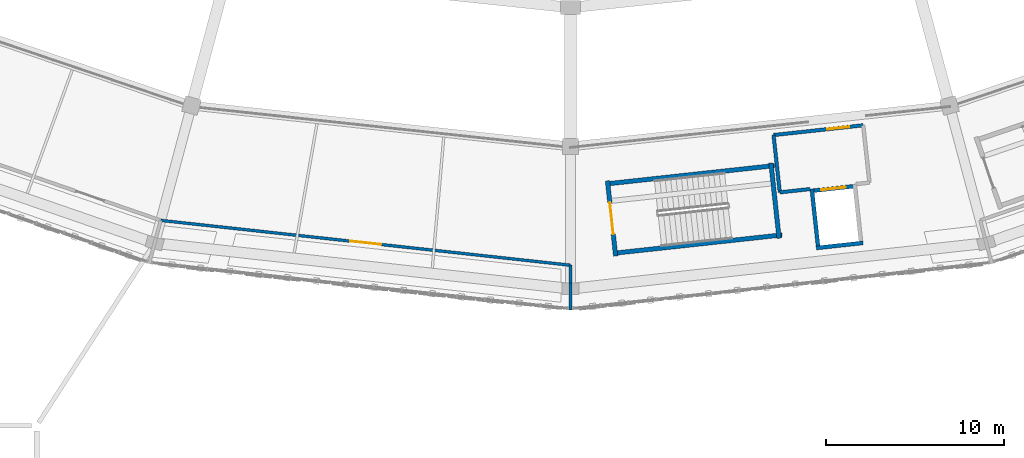
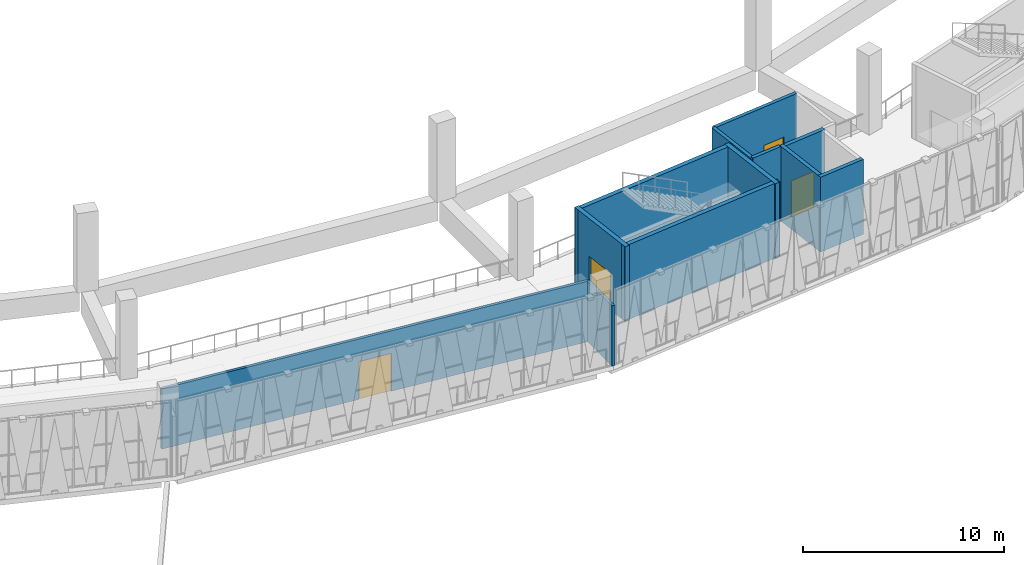
# One storey, part 67 of 108: 13 walls, 4 doors, 4 openings.
"""IFC4 building model written with IfcOpenShell, lengths in metres."""

from ifc_helpers import new_model, si_unit, direction, frame, frame_2d, origin, place, context, subcontext, project, spatial, rectangle, extrude, material, layer, layer_set, type_object, element, fill, save


model = new_model("IFC4")

# Units and contexts
model_context = context("Model", 3, precision=1e-05, world=origin(), true_north=direction((0.0, 1.0)))
body_context = subcontext(model_context, "Body", "Model", "MODEL_VIEW")
ifc_project = project(units=[si_unit("LENGTHUNIT", "METRE"), si_unit("AREAUNIT", "SQUARE_METRE"), si_unit("VOLUMEUNIT", "CUBIC_METRE"), si_unit("PLANEANGLEUNIT", "RADIAN"), si_unit("MASSUNIT", "GRAM", prefix="KILO")], contexts=[model_context])

# Site, building, storey
site_placement = place(None, origin())
site = spatial("IfcSite", under=ifc_project, at=site_placement, CompositionType="ELEMENT")
building_placement = place(site_placement, origin())
building = spatial("IfcBuilding", under=site, at=building_placement, Name="Zevraka Park Crest Stadium", CompositionType="ELEMENT")
storey_placement = place(building_placement, frame((0.0, 0.0, 19.800048828125)))
storey = spatial("IfcBuildingStorey", under=building, at=storey_placement, Name="L04", CompositionType="ELEMENT", Elevation=19.800048828125)

# Walls
ifc_material_1 = material(Name="Autoclaved aerated masonry blockwork", Category="masonry")
ifc_layer_1 = layer(ifc_material_1, 0.199951171875)
ifc_layer_set_1 = layer_set([ifc_layer_1], Name="Autoclaved aerated masonry blockwork")
wall_type_1 = type_object("IfcWallType", Name="IW01", PredefinedType="PARTITIONING", material=ifc_layer_set_1)
wall_1_placement = place(storey_placement, frame((125.47509765625, 22.302001953125, 0.0), z_axis=(0.0, 0.0, 1.0), x_axis=(-0.994135511072, -0.108141507414, 0.0)))
element("IfcWall", 1, at=wall_1_placement, inside=storey, type_object=wall_type_1, Name="Firefighting Lift Lobby Wall IW01 FL04 L04 BACKR", PredefinedType="PARTITIONING", context=body_context, shape_type="SweptSolid", body=[
    extrude(rectangle(XDim=1.72021484375, YDim=0.199951171875, at=frame_2d((0.860107421875, 0.0))), origin(), (0.0, 0.0, 1.0), 4.52001953125),
])
wall_2_placement = place(storey_placement, frame((123.764892578125, 22.115966796875, 0.0), z_axis=(0.0, 0.0, 1.0), x_axis=(-0.108280975823, 0.994120329877, 0.0)))
element("IfcWall", 2, at=wall_2_placement, inside=storey, type_object=wall_type_1, Name="Firefighting Lift Lobby Wall IW01 FL04 L04 RIGHT", PredefinedType="PARTITIONING", context=body_context, shape_type="SweptSolid", body=[
    extrude(rectangle(XDim=3.239990234375, YDim=0.199951171875, at=frame_2d((1.6201171875, 0.0))), origin(), (0.0, 0.0, 1.0), 4.52001953125),
])

# Wall, opening, door
wall_3_placement = place(storey_placement, frame((128.4541015625, 25.885986328125, 0.0), z_axis=(0.0, 0.0, 1.0), x_axis=(-0.994118117986, -0.108301281116, 0.0)))
wall_3 = element("IfcWall", 3, at=wall_3_placement, inside=storey, type_object=wall_type_1, Name="Firefighting Lift Lobby Wall IW01 FL04 L04 FRONT", PredefinedType="PARTITIONING", context=body_context, shape_type="SweptSolid", body=[
    extrude(rectangle(XDim=5.06982421875, YDim=0.199951171875, at=frame_2d((2.534912109375, 0.0))), origin(), (0.0, 0.0, 1.0), 4.52001953125),
])
opening_1_placement = place(wall_3_placement, frame((0.794921875, 0.0, 0.0)))
opening_1 = element("IfcOpeningElement", 4, at=opening_1_placement, cuts=wall_3, Name="Opening D-L04-323", PredefinedType="OPENING", context=body_context, shape_type="SweptSolid", body=[
    extrude(rectangle(XDim=1.25, YDim=2.199951171875, at=frame_2d((0.625, 1.10009765625))), frame((0.0, 0.10986328125, 0.0), z_axis=(0.0, -1.0, 0.0), x_axis=(1.0, 0.0, 0.0)), (0.0, 0.0, 1.0), 0.219970703125),
])
ifc_material_2 = material(Name="Solid-core hardwood timber leaf in steel frame", Category="steel")
door_type_1 = type_object("IfcDoorType", Name="DR07", OperationType="NOTDEFINED", PredefinedType="DOOR", material=ifc_material_2)
door_1_placement = place(opening_1_placement, origin())
door_1 = element("IfcDoor", 5, at=door_1_placement, inside=storey, type_object=door_type_1, Name="Firefighting Lift Lobby FL04 Door D-L04-323", OperationType="SINGLE_SWING_LEFT", OverallHeight=2.199951171875, OverallWidth=1.25, PredefinedType="DOOR", context=body_context, shape_type="SweptSolid", body=[
    extrude(rectangle(XDim=1.25, YDim=2.199951171875, at=frame_2d((0.625, 1.10009765625))), frame((0.0, 0.02490234375, 0.0), z_axis=(0.0, -1.0, 0.0), x_axis=(1.0, 0.0, 0.0)), (0.0, 0.0, 1.0), 0.050048828125),
])
fill(opening_1, door_1)

ifc_material_3 = material(Name="Fire-rated twin-stud acoustic drywall", Category="other")
ifc_layer_2 = layer(ifc_material_3, 0.159912109375)
ifc_layer_set_2 = layer_set([ifc_layer_2], Name="Fire-rated twin-stud acoustic drywall")
wall_type_2 = type_object("IfcWallType", Name="IW02", PredefinedType="PARTITIONING", material=ifc_layer_set_2)
wall_4_placement = place(storey_placement, frame((88.969970703125, 20.541015625, 0.0), z_axis=(0.0, 0.0, 1.0), x_axis=(0.994061953131, -0.108815593262, 0.0)))
wall_4 = element("IfcWall", 6, at=wall_4_placement, inside=storey, type_object=wall_type_2, Name="Interior Partition IW02 Hospitality Suite L04", PredefinedType="PARTITIONING", context=body_context, shape_type="SweptSolid", body=[
    extrude(rectangle(XDim=23.16748046875, YDim=0.159912109375, at=frame_2d((11.583740234375, 0.0))), origin(), (0.0, 0.0, 1.0), 3.6650390625),
])
opening_2_placement = place(wall_4_placement, frame((10.708984375, 0.0, 0.0)))
opening_2 = element("IfcOpeningElement", 7, at=opening_2_placement, cuts=wall_4, Name="Opening D-L04-486", PredefinedType="OPENING", context=body_context, shape_type="SweptSolid", body=[
    extrude(rectangle(XDim=1.75, YDim=2.300048828125, at=frame_2d((0.875, 1.14990234375))), frame((0.0, 0.08984375, 0.0), z_axis=(0.0, -1.0, 0.0), x_axis=(1.0, 0.0, 0.0)), (0.0, 0.0, 1.0), 0.179931640625),
])
ifc_material_4 = material(Name="Solid-core hardwood timber leaf in steel frame", Category="steel")
door_type_2 = type_object("IfcDoorType", Name="DR27", OperationType="NOTDEFINED", PredefinedType="DOOR", material=ifc_material_4)
door_2_placement = place(opening_2_placement, origin())
door_2 = element("IfcDoor", 8, at=door_2_placement, inside=storey, type_object=door_type_2, Name="Hospitality Suite Door D-L04-486", OperationType="DOUBLE_DOOR_SINGLE_SWING", OverallHeight=2.300048828125, OverallWidth=1.75, PredefinedType="DOOR", context=body_context, shape_type="SweptSolid", body=[
    extrude(rectangle(XDim=1.75, YDim=2.300048828125, at=frame_2d((0.875, 1.14990234375))), frame((0.0, 0.02490234375, 0.0), z_axis=(0.0, -1.0, 0.0), x_axis=(1.0, 0.0, 0.0)), (0.0, 0.0, 1.0), 0.050048828125),
])
fill(opening_2, door_2)

# Walls
wall_5_placement = place(storey_placement, frame((112.0, 18.02001953125, 0.0), z_axis=(0.0, 0.0, 1.0), x_axis=(0.0, -1.0, 0.0)))
element("IfcWall", 9, at=wall_5_placement, inside=storey, type_object=wall_type_2, Name="Interior Partition IW02 Hospitality Suite L04", PredefinedType="PARTITIONING", context=body_context, shape_type="SweptSolid", body=[
    extrude(rectangle(XDim=1.010009765625, YDim=0.159912109375, at=frame_2d((0.5048828125, 0.0))), origin(), (0.0, 0.0, 1.0), 3.6650390625),
])
wall_6_placement = place(storey_placement, frame((112.0, 17.02490234375, 0.0), z_axis=(0.0, 0.0, 1.0), x_axis=(0.0, -1.0, 0.0)))
element("IfcWall", 10, at=wall_6_placement, inside=storey, type_object=wall_type_2, Name="Interior Partition IW02 Hospitality Suite L04", PredefinedType="PARTITIONING", context=body_context, shape_type="SweptSolid", body=[
    extrude(rectangle(XDim=1.52490234375, YDim=0.159912109375, at=frame_2d((0.762451171875, 0.0))), origin(), (0.0, 0.0, 1.0), 3.6650390625),
])
ifc_material_5 = material(Name="Concrete C40/50", Category="concrete")
ifc_layer_3 = layer(ifc_material_5, 0.25)
ifc_layer_set_3 = layer_set([ifc_layer_3], Name="Concrete C40/50")
wall_type_3 = type_object("IfcWallType", Name="SW01", PredefinedType="SHEAR", material=ifc_layer_set_3)
for number, where, z_axis, x_axis, name in (
    (11, (114.397216796875, 18.689453125, 0.0), (0.0, 0.0, 1.0), (0.994127555169, 0.108214620337, 0.0), "Stair Core Shear Wall SW01 ST19 L04 left"),
    (12, (123.466796875, 23.619873046875, 0.0), (0.0, 0.0, 1.0), (-0.994127555169, -0.108214620337, 0.0), "Stair Core Shear Wall SW01 ST19 L04 right"),
):
    element("IfcWall", number, at=place(storey_placement, frame(where, z_axis=z_axis, x_axis=x_axis)), inside=storey, type_object=wall_type_3, Name=name, PredefinedType="SHEAR", context=body_context, shape_type="SweptSolid", body=[
        extrude(rectangle(XDim=9.550048828125, YDim=0.25, at=frame_2d((4.77490234375, 0.0))), origin(), (0.0, 0.0, 1.0), 4.5400390625),
    ])

# Wall, opening, door
wall_7_placement = place(storey_placement, frame((114.078857421875, 22.76904296875, 0.0), z_axis=(0.0, 0.0, 1.0), x_axis=(0.108198315262, -0.994129329903, 0.0)))
wall_7 = element("IfcWall", 13, at=wall_7_placement, inside=storey, type_object=wall_type_3, Name="Stair Core Shear Wall SW01 ST19 L04 near", PredefinedType="SHEAR", context=body_context, shape_type="SweptSolid", body=[
    extrude(rectangle(XDim=4.260009765625, YDim=0.25, at=frame_2d((2.1298828125, 0.0))), origin(), (0.0, 0.0, 1.0), 4.5400390625),
])
opening_3_placement = place(wall_7_placement, frame((1.22998046875, 0.0, 0.0)))
opening_3 = element("IfcOpeningElement", 14, at=opening_3_placement, cuts=wall_7, Name="Opening D-L04-114", PredefinedType="OPENING", context=body_context, shape_type="SweptSolid", body=[
    extrude(rectangle(XDim=1.800048828125, YDim=2.25, at=frame_2d((0.89990234375, 1.125))), frame((0.0, 0.135009765625, 0.0), z_axis=(0.0, -1.0, 0.0), x_axis=(1.0, 0.0, 0.0)), (0.0, 0.0, 1.0), 0.27001953125),
])
ifc_material_6 = material(Name="Solid-core hardwood timber leaf in steel frame", Category="steel")
door_type_3 = type_object("IfcDoorType", Name="DR04", OperationType="NOTDEFINED", PredefinedType="DOOR", material=ifc_material_6)
door_3_placement = place(opening_3_placement, origin())
door_3 = element("IfcDoor", 15, at=door_3_placement, inside=storey, type_object=door_type_3, Name="Protected Stair Entry Door ST19 L04", OperationType="DOUBLE_DOOR_SINGLE_SWING", OverallHeight=2.25, OverallWidth=1.800048828125, PredefinedType="DOOR", context=body_context, shape_type="SweptSolid", body=[
    extrude(rectangle(XDim=1.800048828125, YDim=2.25, at=frame_2d((0.89990234375, 1.125))), frame((0.0, 0.02490234375, 0.0), z_axis=(0.0, -1.0, 0.0), x_axis=(1.0, 0.0, 0.0)), (0.0, 0.0, 1.0), 0.050048828125),
])
fill(opening_3, door_3)

# Walls
wall_8_placement = place(storey_placement, frame((123.7255859375, 19.533935546875, 0.0), z_axis=(0.0, 0.0, 1.0), x_axis=(-0.108204479885, 0.994128658944, 0.0)))
element("IfcWall", 16, at=wall_8_placement, inside=storey, type_object=wall_type_3, Name="Stair Core Shear Wall SW01 ST19 L04 far", PredefinedType="SHEAR", context=body_context, shape_type="SweptSolid", body=[
    extrude(rectangle(XDim=4.259765625, YDim=0.25, at=frame_2d((2.1298828125, 0.0))), origin(), (0.0, 0.0, 1.0), 4.5400390625),
])
ifc_material_7 = material(Name="Concrete C40/50", Category="concrete")
ifc_layer_4 = layer(ifc_material_7, 0.219970703125)
ifc_layer_set_4 = layer_set([ifc_layer_4], Name="Concrete C40/50")
wall_type_4 = type_object("IfcWallType", Name="SW02", PredefinedType="SHEAR", material=ifc_layer_set_4)
wall_9_placement = place(storey_placement, frame((125.81689453125, 18.989013671875, 0.0), z_axis=(0.0, 0.0, 1.0), x_axis=(0.994077313431, 0.108675180804, 0.0)))
element("IfcWall", 17, at=wall_9_placement, inside=storey, type_object=wall_type_4, Name="Lift Shaft Shear Wall SW02 FL04 L04-1", PredefinedType="SHEAR", context=body_context, shape_type="SweptSolid", body=[
    extrude(rectangle(XDim=2.6396484375, YDim=0.219970703125, at=frame_2d((1.31982421875, 0.0))), origin(), (0.0, 0.0, 1.0), 4.5400390625),
])

# Wall, opening, door
wall_10_placement = place(storey_placement, frame((128.091064453125, 22.47705078125, 0.0), z_axis=(0.0, 0.0, 1.0), x_axis=(-0.994067317545, -0.108766576613, 0.0)))
wall_10 = element("IfcWall", 18, at=wall_10_placement, inside=storey, type_object=wall_type_4, Name="Lift Shaft Shear Wall SW02 FL04 L04-3", PredefinedType="SHEAR", context=body_context, shape_type="SweptSolid", body=[
    extrude(rectangle(XDim=2.6396484375, YDim=0.219970703125, at=frame_2d((1.31982421875, 0.0))), origin(), (0.0, 0.0, 1.0), 4.5400390625),
])
opening_4_placement = place(wall_10_placement, frame((0.6201171875, 0.0, 0.0)))
opening_4 = element("IfcOpeningElement", 19, at=opening_4_placement, cuts=wall_10, Name="Opening LD-FL04-L04", PredefinedType="OPENING", context=body_context, shape_type="SweptSolid", body=[
    extrude(rectangle(XDim=1.39990234375, YDim=2.199951171875, at=frame_2d((0.699951171875, 1.10009765625))), frame((0.0, 0.119873046875, 0.0), z_axis=(0.0, -1.0, 0.0), x_axis=(1.0, 0.0, 0.0)), (0.0, 0.0, 1.0), 0.239990234375),
])
ifc_material_8 = material(Name="Brushed stainless steel lift landing doors", Category="steel")
door_type_4 = type_object("IfcDoorType", Name="LD01", OperationType="NOTDEFINED", PredefinedType="DOOR", material=ifc_material_8)
door_4_placement = place(opening_4_placement, origin())
door_4 = element("IfcDoor", 20, at=door_4_placement, inside=storey, type_object=door_type_4, Name="Lift Sliding Landing Door LD-FL04-L04", OperationType="SLIDING_TO_LEFT", OverallHeight=2.199951171875, OverallWidth=1.39990234375, PredefinedType="DOOR", context=body_context, shape_type="SweptSolid", body=[
    extrude(rectangle(XDim=1.39990234375, YDim=2.199951171875, at=frame_2d((0.699951171875, 1.10009765625))), frame((0.0, 0.02490234375, 0.0), z_axis=(0.0, -1.0, 0.0), x_axis=(1.0, 0.0, 0.0)), (0.0, 0.0, 1.0), 0.050048828125),
])
fill(opening_4, door_4)

# Wall
wall_11_placement = place(storey_placement, frame((125.56396484375, 22.31103515625, 0.0), z_axis=(0.0, 0.0, 1.0), x_axis=(0.108748511736, -0.994069293961, 0.0)))
element("IfcWall", 21, at=wall_11_placement, inside=storey, type_object=wall_type_4, Name="Lift Shaft Shear Wall SW02 FL04 L04-4", PredefinedType="SHEAR", context=body_context, shape_type="SweptSolid", body=[
    extrude(rectangle(XDim=3.439453125, YDim=0.219970703125, at=frame_2d((1.7197265625, 0.0))), origin(), (0.0, 0.0, 1.0), 4.5400390625),
])

save(model, "model.ifc")
